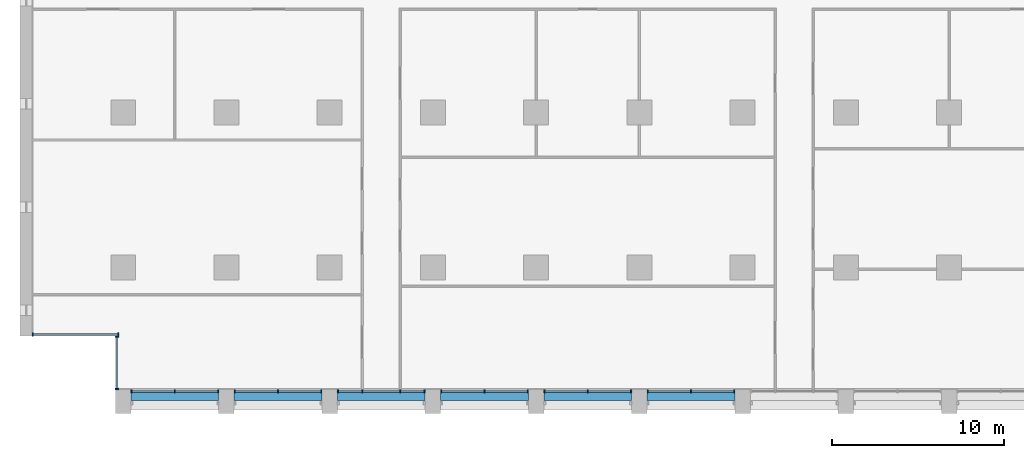
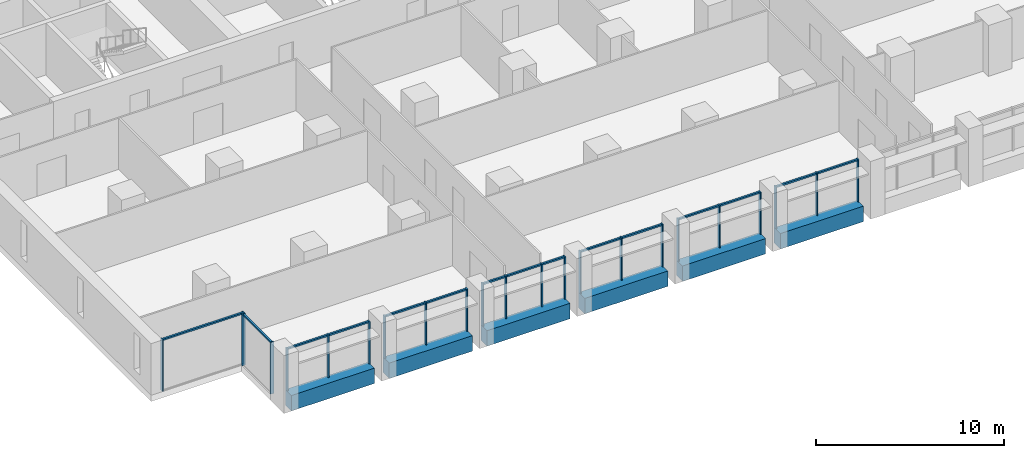
# One storey, part 2 of 17: 38 members, 6 beams, 8 elements without a shape of their own.
"""IFC4 building model written with IfcOpenShell, lengths in metres."""

from ifc_helpers import new_model, si_unit, direction, frame, origin, origin_2d, place, context, subcontext, project, spatial, rectangle, extrude, material, material_profile, profile_set, type_object, element, aggregate, save


model = new_model("IFC4")

# Units and contexts
model_context = context("Model", 3, precision=1e-05, world=origin(), true_north=direction((0.0, 1.0)))
body_context = subcontext(model_context, "Body", "Model", "MODEL_VIEW")
ifc_project = project(units=[si_unit("LENGTHUNIT", "METRE"), si_unit("AREAUNIT", "SQUARE_METRE"), si_unit("VOLUMEUNIT", "CUBIC_METRE"), si_unit("PLANEANGLEUNIT", "RADIAN"), si_unit("MASSUNIT", "GRAM", prefix="KILO")], contexts=[model_context])

# Site, building, storey
site_placement = place(None, origin())
site = spatial("IfcSite", under=ifc_project, at=site_placement, CompositionType="ELEMENT")
building_placement = place(site_placement, origin())
building = spatial("IfcBuilding", under=site, at=building_placement, Name="Calvaro Tower", CompositionType="ELEMENT")
storey_placement = place(building_placement, frame((0.0, 0.0, 98.75)))
storey = spatial("IfcBuildingStorey", under=building, at=storey_placement, Name="L24", CompositionType="ELEMENT", Elevation=98.75)

# Curtain wall, members
ifc_material_1 = material(Name="Anodised aluminium", Category="aluminium")
curtain_wall_type = type_object("IfcCurtainWallType", Name="Office curtain wall, middle zone", PredefinedType="NOTDEFINED", material=ifc_material_1)
curtain_wall_1_placement = place(storey_placement, origin())
curtain_wall_1 = element("IfcCurtainWall", 1, at=curtain_wall_1_placement, inside=storey, type_object=curtain_wall_type, Name="CW2 south curtain wall", PredefinedType="NOTDEFINED")
ifc_material_2 = material(Name="Anodised aluminium", Category="aluminium")
ifc_material_profile_1 = material_profile(ifc_material_2, rectangle(XDim=0.199951171875, YDim=0.070068359375, at=origin_2d()), Name="Mullion S2 70 x 200")
ifc_profile_set_1 = profile_set([ifc_material_profile_1], Name="Anodised aluminium")
member_type_1 = type_object("IfcMemberType", Name="Mullion S2 70 x 200", PredefinedType="MULLION", material=ifc_profile_set_1)
member_1_placement = place(storey_placement, frame((6.485107421875, 2.800048828125, 0.0), z_axis=(0.0, 0.0, 1.0), x_axis=(0.0, 1.0, 0.0)))
member_1 = element("IfcMember", 2, at=member_1_placement, type_object=member_type_1, Name="CW2 mullion 1", PredefinedType="MULLION", context=body_context, shape_type="SweptSolid", body=[
    extrude(rectangle(XDim=0.199951171875, YDim=0.070068359375, at=origin_2d()), origin(), (0.0, 0.0, 1.0), 2.75),
])
member_2_placement = place(storey_placement, frame((9.0, 2.800048828125, 0.0), z_axis=(0.0, 0.0, 1.0), x_axis=(0.0, 1.0, 0.0)))
member_2 = element("IfcMember", 3, at=member_2_placement, type_object=member_type_1, Name="CW2 mullion 2", PredefinedType="MULLION", context=body_context, shape_type="SweptSolid", body=[
    extrude(rectangle(XDim=0.199951171875, YDim=0.070068359375, at=origin_2d()), origin(), (0.0, 0.0, 1.0), 2.75),
])
member_3_placement = place(storey_placement, frame((11.514892578125, 2.800048828125, 0.0), z_axis=(0.0, 0.0, 1.0), x_axis=(0.0, 1.0, 0.0)))
member_3 = element("IfcMember", 4, at=member_3_placement, type_object=member_type_1, Name="CW2 mullion 3", PredefinedType="MULLION", context=body_context, shape_type="SweptSolid", body=[
    extrude(rectangle(XDim=0.199951171875, YDim=0.070068359375, at=origin_2d()), origin(), (0.0, 0.0, 1.0), 2.75),
])

curtain_wall_2_placement = place(storey_placement, origin())
curtain_wall_2 = element("IfcCurtainWall", 5, at=curtain_wall_2_placement, inside=storey, type_object=curtain_wall_type, Name="CW2 south curtain wall", PredefinedType="NOTDEFINED")
member_4_placement = place(storey_placement, frame((12.485107421875, 2.800048828125, 0.0), z_axis=(0.0, 0.0, 1.0), x_axis=(0.0, 1.0, 0.0)))
member_4 = element("IfcMember", 6, at=member_4_placement, type_object=member_type_1, Name="CW2 mullion 1", PredefinedType="MULLION", context=body_context, shape_type="SweptSolid", body=[
    extrude(rectangle(XDim=0.199951171875, YDim=0.070068359375, at=origin_2d()), origin(), (0.0, 0.0, 1.0), 2.75),
])
member_5_placement = place(storey_placement, frame((15.0, 2.800048828125, 0.0), z_axis=(0.0, 0.0, 1.0), x_axis=(0.0, 1.0, 0.0)))
member_5 = element("IfcMember", 7, at=member_5_placement, type_object=member_type_1, Name="CW2 mullion 2", PredefinedType="MULLION", context=body_context, shape_type="SweptSolid", body=[
    extrude(rectangle(XDim=0.199951171875, YDim=0.070068359375, at=origin_2d()), origin(), (0.0, 0.0, 1.0), 2.75),
])
member_6_placement = place(storey_placement, frame((17.514892578125, 2.800048828125, 0.0), z_axis=(0.0, 0.0, 1.0), x_axis=(0.0, 1.0, 0.0)))
member_6 = element("IfcMember", 8, at=member_6_placement, type_object=member_type_1, Name="CW2 mullion 3", PredefinedType="MULLION", context=body_context, shape_type="SweptSolid", body=[
    extrude(rectangle(XDim=0.199951171875, YDim=0.070068359375, at=origin_2d()), origin(), (0.0, 0.0, 1.0), 2.75),
])

curtain_wall_3_placement = place(storey_placement, origin())
curtain_wall_3 = element("IfcCurtainWall", 9, at=curtain_wall_3_placement, inside=storey, type_object=curtain_wall_type, Name="CW2 south curtain wall", PredefinedType="NOTDEFINED")
member_7_placement = place(storey_placement, frame((18.485107421875, 2.800048828125, 0.0), z_axis=(0.0, 0.0, 1.0), x_axis=(0.0, 1.0, 0.0)))
member_7 = element("IfcMember", 10, at=member_7_placement, type_object=member_type_1, Name="CW2 mullion 1", PredefinedType="MULLION", context=body_context, shape_type="SweptSolid", body=[
    extrude(rectangle(XDim=0.199951171875, YDim=0.070068359375, at=origin_2d()), origin(), (0.0, 0.0, 1.0), 2.75),
])
member_8_placement = place(storey_placement, frame((19.89990234375, 2.800048828125, 0.0), z_axis=(0.0, 0.0, 1.0), x_axis=(0.0, 1.0, 0.0)))
member_8 = element("IfcMember", 11, at=member_8_placement, type_object=member_type_1, Name="CW2 mullion 2", PredefinedType="MULLION", context=body_context, shape_type="SweptSolid", body=[
    extrude(rectangle(XDim=0.199951171875, YDim=0.070068359375, at=origin_2d()), origin(), (0.0, 0.0, 1.0), 2.75),
])
member_9_placement = place(storey_placement, frame((22.10009765625, 2.800048828125, 0.0), z_axis=(0.0, 0.0, 1.0), x_axis=(0.0, 1.0, 0.0)))
member_9 = element("IfcMember", 12, at=member_9_placement, type_object=member_type_1, Name="CW2 mullion 3", PredefinedType="MULLION", context=body_context, shape_type="SweptSolid", body=[
    extrude(rectangle(XDim=0.199951171875, YDim=0.070068359375, at=origin_2d()), origin(), (0.0, 0.0, 1.0), 2.75),
])
member_10_placement = place(storey_placement, frame((23.514892578125, 2.800048828125, 0.0), z_axis=(0.0, 0.0, 1.0), x_axis=(0.0, 1.0, 0.0)))
member_10 = element("IfcMember", 13, at=member_10_placement, type_object=member_type_1, Name="CW2 mullion 4", PredefinedType="MULLION", context=body_context, shape_type="SweptSolid", body=[
    extrude(rectangle(XDim=0.199951171875, YDim=0.070068359375, at=origin_2d()), origin(), (0.0, 0.0, 1.0), 2.75),
])

curtain_wall_4_placement = place(storey_placement, origin())
curtain_wall_4 = element("IfcCurtainWall", 14, at=curtain_wall_4_placement, inside=storey, type_object=curtain_wall_type, Name="CW2 south curtain wall", PredefinedType="NOTDEFINED")
member_11_placement = place(storey_placement, frame((24.485107421875, 2.800048828125, 0.0), z_axis=(0.0, 0.0, 1.0), x_axis=(0.0, 1.0, 0.0)))
member_11 = element("IfcMember", 15, at=member_11_placement, type_object=member_type_1, Name="CW2 mullion 1", PredefinedType="MULLION", context=body_context, shape_type="SweptSolid", body=[
    extrude(rectangle(XDim=0.199951171875, YDim=0.070068359375, at=origin_2d()), origin(), (0.0, 0.0, 1.0), 2.75),
])
member_12_placement = place(storey_placement, frame((27.0, 2.800048828125, 0.0), z_axis=(0.0, 0.0, 1.0), x_axis=(0.0, 1.0, 0.0)))
member_12 = element("IfcMember", 16, at=member_12_placement, type_object=member_type_1, Name="CW2 mullion 2", PredefinedType="MULLION", context=body_context, shape_type="SweptSolid", body=[
    extrude(rectangle(XDim=0.199951171875, YDim=0.070068359375, at=origin_2d()), origin(), (0.0, 0.0, 1.0), 2.75),
])
member_13_placement = place(storey_placement, frame((29.514892578125, 2.800048828125, 0.0), z_axis=(0.0, 0.0, 1.0), x_axis=(0.0, 1.0, 0.0)))
member_13 = element("IfcMember", 17, at=member_13_placement, type_object=member_type_1, Name="CW2 mullion 3", PredefinedType="MULLION", context=body_context, shape_type="SweptSolid", body=[
    extrude(rectangle(XDim=0.199951171875, YDim=0.070068359375, at=origin_2d()), origin(), (0.0, 0.0, 1.0), 2.75),
])

curtain_wall_5_placement = place(storey_placement, origin())
curtain_wall_5 = element("IfcCurtainWall", 18, at=curtain_wall_5_placement, inside=storey, type_object=curtain_wall_type, Name="CW2 south curtain wall", PredefinedType="NOTDEFINED")
member_14_placement = place(storey_placement, frame((30.485107421875, 2.800048828125, 0.0), z_axis=(0.0, 0.0, 1.0), x_axis=(0.0, 1.0, 0.0)))
member_14 = element("IfcMember", 19, at=member_14_placement, type_object=member_type_1, Name="CW2 mullion 1", PredefinedType="MULLION", context=body_context, shape_type="SweptSolid", body=[
    extrude(rectangle(XDim=0.199951171875, YDim=0.070068359375, at=origin_2d()), origin(), (0.0, 0.0, 1.0), 2.75),
])
member_15_placement = place(storey_placement, frame((33.0, 2.800048828125, 0.0), z_axis=(0.0, 0.0, 1.0), x_axis=(0.0, 1.0, 0.0)))
member_15 = element("IfcMember", 20, at=member_15_placement, type_object=member_type_1, Name="CW2 mullion 2", PredefinedType="MULLION", context=body_context, shape_type="SweptSolid", body=[
    extrude(rectangle(XDim=0.199951171875, YDim=0.070068359375, at=origin_2d()), origin(), (0.0, 0.0, 1.0), 2.75),
])
member_16_placement = place(storey_placement, frame((35.514892578125, 2.800048828125, 0.0), z_axis=(0.0, 0.0, 1.0), x_axis=(0.0, 1.0, 0.0)))
member_16 = element("IfcMember", 21, at=member_16_placement, type_object=member_type_1, Name="CW2 mullion 3", PredefinedType="MULLION", context=body_context, shape_type="SweptSolid", body=[
    extrude(rectangle(XDim=0.199951171875, YDim=0.070068359375, at=origin_2d()), origin(), (0.0, 0.0, 1.0), 2.75),
])

curtain_wall_6_placement = place(storey_placement, origin())
curtain_wall_6 = element("IfcCurtainWall", 22, at=curtain_wall_6_placement, inside=storey, type_object=curtain_wall_type, Name="CW2 south curtain wall", PredefinedType="NOTDEFINED")
member_17_placement = place(storey_placement, frame((36.485107421875, 2.800048828125, 0.0), z_axis=(0.0, 0.0, 1.0), x_axis=(0.0, 1.0, 0.0)))
member_17 = element("IfcMember", 23, at=member_17_placement, type_object=member_type_1, Name="CW2 mullion 1", PredefinedType="MULLION", context=body_context, shape_type="SweptSolid", body=[
    extrude(rectangle(XDim=0.199951171875, YDim=0.070068359375, at=origin_2d()), origin(), (0.0, 0.0, 1.0), 2.75),
])
member_18_placement = place(storey_placement, frame((39.0, 2.800048828125, 0.0), z_axis=(0.0, 0.0, 1.0), x_axis=(0.0, 1.0, 0.0)))
member_18 = element("IfcMember", 24, at=member_18_placement, type_object=member_type_1, Name="CW2 mullion 2", PredefinedType="MULLION", context=body_context, shape_type="SweptSolid", body=[
    extrude(rectangle(XDim=0.199951171875, YDim=0.070068359375, at=origin_2d()), origin(), (0.0, 0.0, 1.0), 2.75),
])
member_19_placement = place(storey_placement, frame((41.514892578125, 2.800048828125, 0.0), z_axis=(0.0, 0.0, 1.0), x_axis=(0.0, 1.0, 0.0)))
member_19 = element("IfcMember", 25, at=member_19_placement, type_object=member_type_1, Name="CW2 mullion 3", PredefinedType="MULLION", context=body_context, shape_type="SweptSolid", body=[
    extrude(rectangle(XDim=0.199951171875, YDim=0.070068359375, at=origin_2d()), origin(), (0.0, 0.0, 1.0), 2.75),
])

curtain_wall_7_placement = place(storey_placement, origin())
curtain_wall_7 = element("IfcCurtainWall", 26, at=curtain_wall_7_placement, inside=storey, type_object=curtain_wall_type, Name="CW2 corner curtain wall", PredefinedType="NOTDEFINED")
member_20_placement = place(storey_placement, frame((5.64990234375, 2.93505859375, 0.0), z_axis=(0.0, 0.0, 1.0), x_axis=(-1.0, 0.0, 0.0)))
member_20 = element("IfcMember", 27, at=member_20_placement, type_object=member_type_1, Name="CW2 mullion 1", PredefinedType="MULLION", context=body_context, shape_type="SweptSolid", body=[
    extrude(rectangle(XDim=0.199951171875, YDim=0.070068359375, at=origin_2d()), origin(), (0.0, 0.0, 1.0), 3.35009765625),
])
member_21_placement = place(storey_placement, frame((5.64990234375, 5.965087890625, 0.0), z_axis=(0.0, 0.0, 1.0), x_axis=(-1.0, 0.0, 0.0)))
member_21 = element("IfcMember", 28, at=member_21_placement, type_object=member_type_1, Name="CW2 mullion 2", PredefinedType="MULLION", context=body_context, shape_type="SweptSolid", body=[
    extrude(rectangle(XDim=0.199951171875, YDim=0.070068359375, at=origin_2d()), origin(), (0.0, 0.0, 1.0), 3.35009765625),
])

curtain_wall_8_placement = place(storey_placement, origin())
curtain_wall_8 = element("IfcCurtainWall", 29, at=curtain_wall_8_placement, inside=storey, type_object=curtain_wall_type, Name="CW2 corner curtain wall", PredefinedType="NOTDEFINED")
member_22_placement = place(storey_placement, frame((0.735107421875, 6.10009765625, 0.0), z_axis=(0.0, 0.0, 1.0), x_axis=(0.0, 1.0, 0.0)))
member_22 = element("IfcMember", 30, at=member_22_placement, type_object=member_type_1, Name="CW2 mullion 1", PredefinedType="MULLION", context=body_context, shape_type="SweptSolid", body=[
    extrude(rectangle(XDim=0.199951171875, YDim=0.070068359375, at=origin_2d()), origin(), (0.0, 0.0, 1.0), 3.35009765625),
])
member_23_placement = place(storey_placement, frame((5.715087890625, 6.10009765625, 0.0), z_axis=(0.0, 0.0, 1.0), x_axis=(0.0, 1.0, 0.0)))
member_23 = element("IfcMember", 31, at=member_23_placement, type_object=member_type_1, Name="CW2 mullion 2", PredefinedType="MULLION", context=body_context, shape_type="SweptSolid", body=[
    extrude(rectangle(XDim=0.199951171875, YDim=0.070068359375, at=origin_2d()), origin(), (0.0, 0.0, 1.0), 3.35009765625),
])

# Beams
ifc_material_3 = material(Name="Concrete C50/60 precast", Category="concrete")
ifc_material_profile_2 = material_profile(ifc_material_3, rectangle(XDim=0.64990234375, YDim=1.0, at=origin_2d()), Name="RC 650x1000")
ifc_profile_set_2 = profile_set([ifc_material_profile_2], Name="Concrete C50/60 precast")
beam_type = type_object("IfcBeamType", Name="Spandrel beam 650x1000 C50/60", PredefinedType="SPANDREL", material=ifc_profile_set_2)
for number, where, z_axis, x_axis, name in (
    (32, (6.449951171875, 2.574951171875, -0.5), (1.0, 0.0, 0.0), (0.0, 1.0, 0.0), "Spandrel beam"),
    (33, (12.449951171875, 2.574951171875, -0.5), (1.0, 0.0, 0.0), (0.0, 1.0, 0.0), "Spandrel beam"),
    (34, (18.449951171875, 2.574951171875, -0.5), (1.0, 0.0, 0.0), (0.0, 1.0, 0.0), "Spandrel beam"),
    (35, (24.449951171875, 2.574951171875, -0.5), (1.0, 0.0, 0.0), (0.0, 1.0, 0.0), "Spandrel beam"),
    (36, (30.449951171875, 2.574951171875, -0.5), (1.0, 0.0, 0.0), (0.0, 1.0, 0.0), "Spandrel beam"),
    (37, (36.449951171875, 2.574951171875, -0.5), (1.0, 0.0, 0.0), (0.0, 1.0, 0.0), "Spandrel beam"),
):
    element("IfcBeam", number, at=place(storey_placement, frame(where, z_axis=z_axis, x_axis=x_axis)), inside=storey, type_object=beam_type, Name=name, PredefinedType="SPANDREL", context=body_context, shape_type="SweptSolid", body=[
        extrude(rectangle(XDim=0.64990234375, YDim=1.0, at=origin_2d()), origin(), (0.0, 0.0, 1.0), 5.10009765625),
    ])

# Member
ifc_material_4 = material(Name="Anodised aluminium", Category="aluminium")
ifc_material_profile_3 = material_profile(ifc_material_4, rectangle(XDim=0.1201171875, YDim=0.10009765625, at=origin_2d()), Name="Transom S2 100 x 120")
ifc_profile_set_3 = profile_set([ifc_material_profile_3], Name="Anodised aluminium")
member_type_2 = type_object("IfcMemberType", Name="Transom S2 100 x 120", PredefinedType="USERDEFINED", material=ifc_profile_set_3)
member_24_placement = place(storey_placement, frame((6.52001953125, 2.800048828125, 2.699951171875), z_axis=(1.0, 0.0, 0.0), x_axis=(0.0, 1.0, 0.0)))
member_24 = element("IfcMember", 38, at=member_24_placement, type_object=member_type_2, Name="CW2 transom 1.1", ObjectType="TRANSOM", PredefinedType="USERDEFINED", context=body_context, shape_type="SweptSolid", body=[
    extrude(rectangle(XDim=0.1201171875, YDim=0.10009765625, at=origin_2d()), origin(), (0.0, 0.0, 1.0), 2.445068359375),
])

member_25_placement = place(storey_placement, frame((9.034912109375, 2.800048828125, 2.699951171875), z_axis=(1.0, 0.0, 0.0), x_axis=(0.0, 1.0, 0.0)))
member_25 = element("IfcMember", 39, at=member_25_placement, type_object=member_type_2, Name="CW2 transom 2.1", ObjectType="TRANSOM", PredefinedType="USERDEFINED", context=body_context, shape_type="SweptSolid", body=[
    extrude(rectangle(XDim=0.1201171875, YDim=0.10009765625, at=origin_2d()), origin(), (0.0, 0.0, 1.0), 2.445068359375),
])

aggregate(curtain_wall_1, [member_1, member_2, member_3, member_24, member_25])

member_26_placement = place(storey_placement, frame((12.52001953125, 2.800048828125, 2.699951171875), z_axis=(1.0, 0.0, 0.0), x_axis=(0.0, 1.0, 0.0)))
member_26 = element("IfcMember", 40, at=member_26_placement, type_object=member_type_2, Name="CW2 transom 1.1", ObjectType="TRANSOM", PredefinedType="USERDEFINED", context=body_context, shape_type="SweptSolid", body=[
    extrude(rectangle(XDim=0.1201171875, YDim=0.10009765625, at=origin_2d()), origin(), (0.0, 0.0, 1.0), 2.445068359375),
])

member_27_placement = place(storey_placement, frame((15.034912109375, 2.800048828125, 2.699951171875), z_axis=(1.0, 0.0, 0.0), x_axis=(0.0, 1.0, 0.0)))
member_27 = element("IfcMember", 41, at=member_27_placement, type_object=member_type_2, Name="CW2 transom 2.1", ObjectType="TRANSOM", PredefinedType="USERDEFINED", context=body_context, shape_type="SweptSolid", body=[
    extrude(rectangle(XDim=0.1201171875, YDim=0.10009765625, at=origin_2d()), origin(), (0.0, 0.0, 1.0), 2.445068359375),
])

aggregate(curtain_wall_2, [member_4, member_5, member_6, member_26, member_27])

member_28_placement = place(storey_placement, frame((18.52001953125, 2.800048828125, 2.699951171875), z_axis=(1.0, 0.0, 0.0), x_axis=(0.0, 1.0, 0.0)))
member_28 = element("IfcMember", 42, at=member_28_placement, type_object=member_type_2, Name="CW2 transom 1.1", ObjectType="TRANSOM", PredefinedType="USERDEFINED", context=body_context, shape_type="SweptSolid", body=[
    extrude(rectangle(XDim=0.1201171875, YDim=0.10009765625, at=origin_2d()), origin(), (0.0, 0.0, 1.0), 1.344970703125),
])

member_29_placement = place(storey_placement, frame((19.93505859375, 2.800048828125, 2.699951171875), z_axis=(1.0, 0.0, 0.0), x_axis=(0.0, 1.0, 0.0)))
member_29 = element("IfcMember", 43, at=member_29_placement, type_object=member_type_2, Name="CW2 transom 2.1", ObjectType="TRANSOM", PredefinedType="USERDEFINED", context=body_context, shape_type="SweptSolid", body=[
    extrude(rectangle(XDim=0.1201171875, YDim=0.10009765625, at=origin_2d()), origin(), (0.0, 0.0, 1.0), 2.1298828125),
])

member_30_placement = place(storey_placement, frame((22.135009765625, 2.800048828125, 2.699951171875), z_axis=(1.0, 0.0, 0.0), x_axis=(0.0, 1.0, 0.0)))
member_30 = element("IfcMember", 44, at=member_30_placement, type_object=member_type_2, Name="CW2 transom 3.1", ObjectType="TRANSOM", PredefinedType="USERDEFINED", context=body_context, shape_type="SweptSolid", body=[
    extrude(rectangle(XDim=0.1201171875, YDim=0.10009765625, at=origin_2d()), origin(), (0.0, 0.0, 1.0), 1.344970703125),
])

aggregate(curtain_wall_3, [member_7, member_8, member_9, member_10, member_28, member_29, member_30])

member_31_placement = place(storey_placement, frame((24.52001953125, 2.800048828125, 2.699951171875), z_axis=(1.0, 0.0, 0.0), x_axis=(0.0, 1.0, 0.0)))
member_31 = element("IfcMember", 45, at=member_31_placement, type_object=member_type_2, Name="CW2 transom 1.1", ObjectType="TRANSOM", PredefinedType="USERDEFINED", context=body_context, shape_type="SweptSolid", body=[
    extrude(rectangle(XDim=0.1201171875, YDim=0.10009765625, at=origin_2d()), origin(), (0.0, 0.0, 1.0), 2.445068359375),
])

member_32_placement = place(storey_placement, frame((27.034912109375, 2.800048828125, 2.699951171875), z_axis=(1.0, 0.0, 0.0), x_axis=(0.0, 1.0, 0.0)))
member_32 = element("IfcMember", 46, at=member_32_placement, type_object=member_type_2, Name="CW2 transom 2.1", ObjectType="TRANSOM", PredefinedType="USERDEFINED", context=body_context, shape_type="SweptSolid", body=[
    extrude(rectangle(XDim=0.1201171875, YDim=0.10009765625, at=origin_2d()), origin(), (0.0, 0.0, 1.0), 2.445068359375),
])

aggregate(curtain_wall_4, [member_11, member_12, member_13, member_31, member_32])

member_33_placement = place(storey_placement, frame((30.52001953125, 2.800048828125, 2.699951171875), z_axis=(1.0, 0.0, 0.0), x_axis=(0.0, 1.0, 0.0)))
member_33 = element("IfcMember", 47, at=member_33_placement, type_object=member_type_2, Name="CW2 transom 1.1", ObjectType="TRANSOM", PredefinedType="USERDEFINED", context=body_context, shape_type="SweptSolid", body=[
    extrude(rectangle(XDim=0.1201171875, YDim=0.10009765625, at=origin_2d()), origin(), (0.0, 0.0, 1.0), 2.445068359375),
])

member_34_placement = place(storey_placement, frame((33.034912109375, 2.800048828125, 2.699951171875), z_axis=(1.0, 0.0, 0.0), x_axis=(0.0, 1.0, 0.0)))
member_34 = element("IfcMember", 48, at=member_34_placement, type_object=member_type_2, Name="CW2 transom 2.1", ObjectType="TRANSOM", PredefinedType="USERDEFINED", context=body_context, shape_type="SweptSolid", body=[
    extrude(rectangle(XDim=0.1201171875, YDim=0.10009765625, at=origin_2d()), origin(), (0.0, 0.0, 1.0), 2.445068359375),
])

aggregate(curtain_wall_5, [member_14, member_15, member_16, member_33, member_34])

member_35_placement = place(storey_placement, frame((36.52001953125, 2.800048828125, 2.699951171875), z_axis=(1.0, 0.0, 0.0), x_axis=(0.0, 1.0, 0.0)))
member_35 = element("IfcMember", 49, at=member_35_placement, type_object=member_type_2, Name="CW2 transom 1.1", ObjectType="TRANSOM", PredefinedType="USERDEFINED", context=body_context, shape_type="SweptSolid", body=[
    extrude(rectangle(XDim=0.1201171875, YDim=0.10009765625, at=origin_2d()), origin(), (0.0, 0.0, 1.0), 2.445068359375),
])

member_36_placement = place(storey_placement, frame((39.034912109375, 2.800048828125, 2.699951171875), z_axis=(1.0, 0.0, 0.0), x_axis=(0.0, 1.0, 0.0)))
member_36 = element("IfcMember", 50, at=member_36_placement, type_object=member_type_2, Name="CW2 transom 2.1", ObjectType="TRANSOM", PredefinedType="USERDEFINED", context=body_context, shape_type="SweptSolid", body=[
    extrude(rectangle(XDim=0.1201171875, YDim=0.10009765625, at=origin_2d()), origin(), (0.0, 0.0, 1.0), 2.445068359375),
])

aggregate(curtain_wall_6, [member_17, member_18, member_19, member_35, member_36])

member_37_placement = place(storey_placement, frame((5.64990234375, 2.969970703125, 3.300048828125), z_axis=(0.0, 1.0, 0.0), x_axis=(-1.0, 0.0, 0.0)))
member_37 = element("IfcMember", 51, at=member_37_placement, type_object=member_type_2, Name="CW2 transom 1.1", ObjectType="TRANSOM", PredefinedType="USERDEFINED", context=body_context, shape_type="SweptSolid", body=[
    extrude(rectangle(XDim=0.1201171875, YDim=0.10009765625, at=origin_2d()), origin(), (0.0, 0.0, 1.0), 2.9599609375),
])

aggregate(curtain_wall_7, [member_20, member_21, member_37])

member_38_placement = place(storey_placement, frame((0.77001953125, 6.10009765625, 3.300048828125), z_axis=(1.0, 0.0, 0.0), x_axis=(0.0, 1.0, 0.0)))
member_38 = element("IfcMember", 52, at=member_38_placement, type_object=member_type_2, Name="CW2 transom 1.1", ObjectType="TRANSOM", PredefinedType="USERDEFINED", context=body_context, shape_type="SweptSolid", body=[
    extrude(rectangle(XDim=0.1201171875, YDim=0.10009765625, at=origin_2d()), origin(), (0.0, 0.0, 1.0), 4.909912109375),
])

aggregate(curtain_wall_8, [member_22, member_23, member_38])

save(model, "model.ifc")
